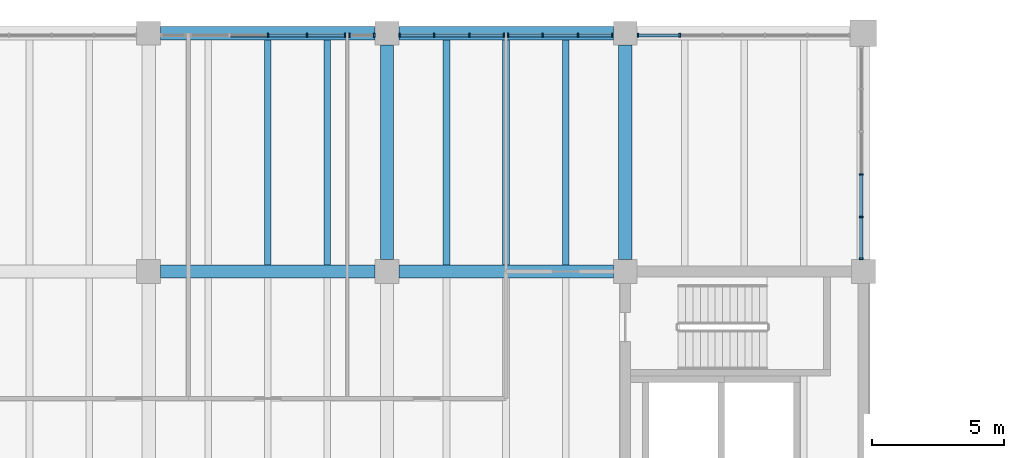
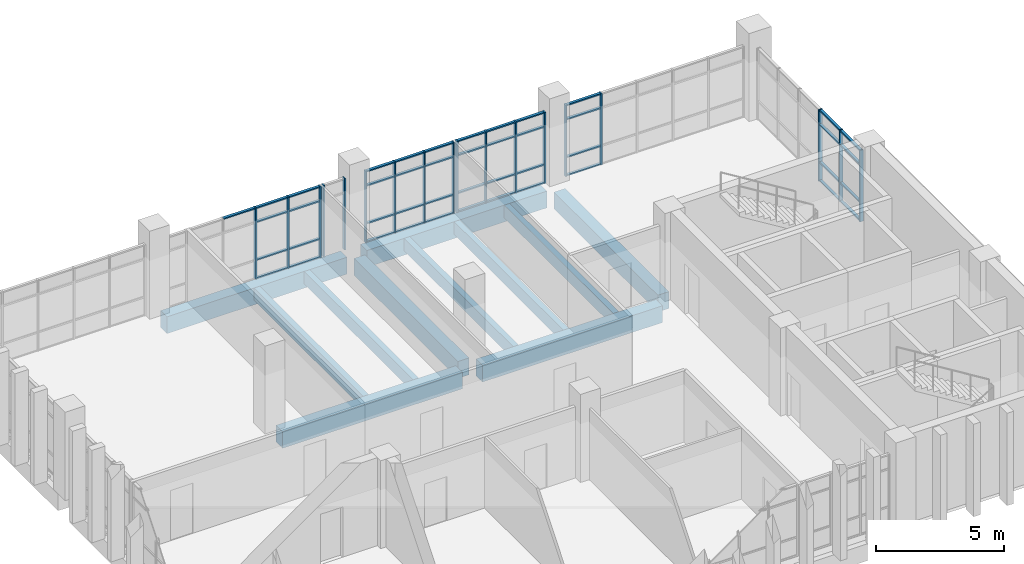
# One storey, part 27 of 74: 63 members, 11 beams, 6 elements without a shape of their own.
"""IFC4 building model written with IfcOpenShell, lengths in metres."""

from ifc_helpers import new_model, si_unit, direction, frame, origin, origin_2d, place, context, subcontext, project, spatial, rectangle, extrude, material, material_profile, profile_set, type_object, element, aggregate, save


model = new_model("IFC4")

# Units and contexts
model_context = context("Model", 3, precision=1e-05, world=origin(), true_north=direction((0.0, 1.0)))
body_context = subcontext(model_context, "Body", "Model", "MODEL_VIEW")
ifc_project = project(units=[si_unit("LENGTHUNIT", "METRE"), si_unit("AREAUNIT", "SQUARE_METRE"), si_unit("VOLUMEUNIT", "CUBIC_METRE"), si_unit("PLANEANGLEUNIT", "RADIAN"), si_unit("MASSUNIT", "GRAM", prefix="KILO")], contexts=[model_context])

# Site, building, storey
site_placement = place(None, origin())
site = spatial("IfcSite", under=ifc_project, at=site_placement, CompositionType="ELEMENT")
building_placement = place(site_placement, origin())
building = spatial("IfcBuilding", under=site, at=building_placement, Name="Merrow Basin Faculty of Sciences", CompositionType="ELEMENT")
storey_placement = place(building_placement, frame((0.0, 0.0, 13.5)))
storey = spatial("IfcBuildingStorey", under=building, at=storey_placement, Name="L03", CompositionType="ELEMENT", Elevation=13.5)

# Curtain wall, members
ifc_material_1 = material(Name="Aluminium alloy 6063", Category="aluminium")
curtain_wall_type = type_object("IfcCurtainWallType", Name="Unitised curtain wall 160", PredefinedType="NOTDEFINED", material=ifc_material_1)
curtain_wall_1_placement = place(storey_placement, origin())
curtain_wall_1 = element("IfcCurtainWall", 1, at=curtain_wall_1_placement, inside=storey, type_object=curtain_wall_type, Name="N curtain wall L03 3", PredefinedType="NOTDEFINED")
ifc_material_2 = material(Name="Aluminium alloy 6063", Category="aluminium")
ifc_material_profile_1 = material_profile(ifc_material_2, rectangle(XDim=0.159912109375, YDim=0.06005859375, at=origin_2d()))
ifc_profile_set_1 = profile_set([ifc_material_profile_1], Name="Aluminium alloy 6063")
member_type_1 = type_object("IfcMemberType", Name="Aluminium mullion 60x160", PredefinedType="MULLION", material=ifc_profile_set_1)
member_1_placement = place(storey_placement, frame((31.512451171875, 168.919921875, 0.0), z_axis=(0.0, 0.0, 1.0), x_axis=(0.0, 1.0, 0.0)))
member_1 = element("IfcMember", 2, at=member_1_placement, type_object=member_type_1, Name="CW3 mullion 3", PredefinedType="MULLION", context=body_context, shape_type="SweptSolid", body=[
    extrude(rectangle(XDim=0.159912109375, YDim=0.06005859375, at=origin_2d()), origin(), (0.0, 0.0, 1.0), 3.39990234375),
])
member_2_placement = place(storey_placement, frame((32.981201171875, 168.919921875, 0.0), z_axis=(0.0, 0.0, 1.0), x_axis=(0.0, 1.0, 0.0)))
member_2 = element("IfcMember", 3, at=member_2_placement, type_object=member_type_1, Name="CW3 mullion 4", PredefinedType="MULLION", context=body_context, shape_type="SweptSolid", body=[
    extrude(rectangle(XDim=0.159912109375, YDim=0.06005859375, at=origin_2d()), origin(), (0.0, 0.0, 1.0), 3.39990234375),
])
member_3_placement = place(storey_placement, frame((34.419921875, 168.919921875, 0.0), z_axis=(0.0, 0.0, 1.0), x_axis=(0.0, 1.0, 0.0)))
member_3 = element("IfcMember", 4, at=member_3_placement, type_object=member_type_1, Name="CW3 mullion 5", PredefinedType="MULLION", context=body_context, shape_type="SweptSolid", body=[
    extrude(rectangle(XDim=0.159912109375, YDim=0.06005859375, at=origin_2d()), origin(), (0.0, 0.0, 1.0), 3.39990234375),
])

curtain_wall_2_placement = place(storey_placement, origin())
curtain_wall_2 = element("IfcCurtainWall", 5, at=curtain_wall_2_placement, inside=storey, type_object=curtain_wall_type, Name="N curtain wall L03 4", PredefinedType="NOTDEFINED")
member_4_placement = place(storey_placement, frame((34.580078125, 168.919921875, 0.0), z_axis=(0.0, 0.0, 1.0), x_axis=(0.0, 1.0, 0.0)))
member_4 = element("IfcMember", 6, at=member_4_placement, type_object=member_type_1, Name="CW3 mullion 1", PredefinedType="MULLION", context=body_context, shape_type="SweptSolid", body=[
    extrude(rectangle(XDim=0.159912109375, YDim=0.06005859375, at=origin_2d()), origin(), (0.0, 0.0, 1.0), 3.39990234375),
])
member_5_placement = place(storey_placement, frame((35.52001953125, 168.919921875, 0.0), z_axis=(0.0, 0.0, 1.0), x_axis=(0.0, 1.0, 0.0)))
member_5 = element("IfcMember", 7, at=member_5_placement, type_object=member_type_1, Name="CW3 mullion 2", PredefinedType="MULLION", context=body_context, shape_type="SweptSolid", body=[
    extrude(rectangle(XDim=0.159912109375, YDim=0.06005859375, at=origin_2d()), origin(), (0.0, 0.0, 1.0), 3.39990234375),
])
aggregate(curtain_wall_2, [member_4, member_5])

curtain_wall_3_placement = place(storey_placement, origin())
curtain_wall_3 = element("IfcCurtainWall", 8, at=curtain_wall_3_placement, inside=storey, type_object=curtain_wall_type, Name="N curtain wall L03 5", PredefinedType="NOTDEFINED")
member_6_placement = place(storey_placement, frame((36.47998046875, 168.919921875, 0.0), z_axis=(0.0, 0.0, 1.0), x_axis=(0.0, 1.0, 0.0)))
member_6 = element("IfcMember", 9, at=member_6_placement, type_object=member_type_1, Name="CW3 mullion 1", PredefinedType="MULLION", context=body_context, shape_type="SweptSolid", body=[
    extrude(rectangle(XDim=0.159912109375, YDim=0.06005859375, at=origin_2d()), origin(), (0.0, 0.0, 1.0), 3.39990234375),
])
member_7_placement = place(storey_placement, frame((37.783447265625, 168.919921875, 0.0), z_axis=(0.0, 0.0, 1.0), x_axis=(0.0, 1.0, 0.0)))
member_7 = element("IfcMember", 10, at=member_7_placement, type_object=member_type_1, Name="CW3 mullion 2", PredefinedType="MULLION", context=body_context, shape_type="SweptSolid", body=[
    extrude(rectangle(XDim=0.159912109375, YDim=0.06005859375, at=origin_2d()), origin(), (0.0, 0.0, 1.0), 3.39990234375),
])
member_8_placement = place(storey_placement, frame((39.11669921875, 168.919921875, 0.0), z_axis=(0.0, 0.0, 1.0), x_axis=(0.0, 1.0, 0.0)))
member_8 = element("IfcMember", 11, at=member_8_placement, type_object=member_type_1, Name="CW3 mullion 3", PredefinedType="MULLION", context=body_context, shape_type="SweptSolid", body=[
    extrude(rectangle(XDim=0.159912109375, YDim=0.06005859375, at=origin_2d()), origin(), (0.0, 0.0, 1.0), 3.39990234375),
])
member_9_placement = place(storey_placement, frame((40.419921875, 168.919921875, 0.0), z_axis=(0.0, 0.0, 1.0), x_axis=(0.0, 1.0, 0.0)))
member_9 = element("IfcMember", 12, at=member_9_placement, type_object=member_type_1, Name="CW3 mullion 4", PredefinedType="MULLION", context=body_context, shape_type="SweptSolid", body=[
    extrude(rectangle(XDim=0.159912109375, YDim=0.06005859375, at=origin_2d()), origin(), (0.0, 0.0, 1.0), 3.39990234375),
])

curtain_wall_4_placement = place(storey_placement, origin())
curtain_wall_4 = element("IfcCurtainWall", 13, at=curtain_wall_4_placement, inside=storey, type_object=curtain_wall_type, Name="N curtain wall L03 6", PredefinedType="NOTDEFINED")
member_10_placement = place(storey_placement, frame((40.580078125, 168.919921875, 0.0), z_axis=(0.0, 0.0, 1.0), x_axis=(0.0, 1.0, 0.0)))
member_10 = element("IfcMember", 14, at=member_10_placement, type_object=member_type_1, Name="CW3 mullion 1", PredefinedType="MULLION", context=body_context, shape_type="SweptSolid", body=[
    extrude(rectangle(XDim=0.159912109375, YDim=0.06005859375, at=origin_2d()), origin(), (0.0, 0.0, 1.0), 3.39990234375),
])
member_11_placement = place(storey_placement, frame((41.88330078125, 168.919921875, 0.0), z_axis=(0.0, 0.0, 1.0), x_axis=(0.0, 1.0, 0.0)))
member_11 = element("IfcMember", 15, at=member_11_placement, type_object=member_type_1, Name="CW3 mullion 2", PredefinedType="MULLION", context=body_context, shape_type="SweptSolid", body=[
    extrude(rectangle(XDim=0.159912109375, YDim=0.06005859375, at=origin_2d()), origin(), (0.0, 0.0, 1.0), 3.39990234375),
])
member_12_placement = place(storey_placement, frame((43.216552734375, 168.919921875, 0.0), z_axis=(0.0, 0.0, 1.0), x_axis=(0.0, 1.0, 0.0)))
member_12 = element("IfcMember", 16, at=member_12_placement, type_object=member_type_1, Name="CW3 mullion 3", PredefinedType="MULLION", context=body_context, shape_type="SweptSolid", body=[
    extrude(rectangle(XDim=0.159912109375, YDim=0.06005859375, at=origin_2d()), origin(), (0.0, 0.0, 1.0), 3.39990234375),
])
member_13_placement = place(storey_placement, frame((44.52001953125, 168.919921875, 0.0), z_axis=(0.0, 0.0, 1.0), x_axis=(0.0, 1.0, 0.0)))
member_13 = element("IfcMember", 17, at=member_13_placement, type_object=member_type_1, Name="CW3 mullion 4", PredefinedType="MULLION", context=body_context, shape_type="SweptSolid", body=[
    extrude(rectangle(XDim=0.159912109375, YDim=0.06005859375, at=origin_2d()), origin(), (0.0, 0.0, 1.0), 3.39990234375),
])

curtain_wall_5_placement = place(storey_placement, origin())
curtain_wall_5 = element("IfcCurtainWall", 18, at=curtain_wall_5_placement, inside=storey, type_object=curtain_wall_type, Name="N curtain wall L03 7", PredefinedType="NOTDEFINED")
member_14_placement = place(storey_placement, frame((45.47998046875, 168.919921875, 0.0), z_axis=(0.0, 0.0, 1.0), x_axis=(0.0, 1.0, 0.0)))
member_14 = element("IfcMember", 19, at=member_14_placement, type_object=member_type_1, Name="CW3 mullion 1", PredefinedType="MULLION", context=body_context, shape_type="SweptSolid", body=[
    extrude(rectangle(XDim=0.159912109375, YDim=0.06005859375, at=origin_2d()), origin(), (0.0, 0.0, 1.0), 3.39990234375),
])
member_15_placement = place(storey_placement, frame((47.06005859375, 168.919921875, 0.0), z_axis=(0.0, 0.0, 1.0), x_axis=(0.0, 1.0, 0.0)))
member_15 = element("IfcMember", 20, at=member_15_placement, type_object=member_type_1, Name="CW3 mullion 2", PredefinedType="MULLION", context=body_context, shape_type="SweptSolid", body=[
    extrude(rectangle(XDim=0.159912109375, YDim=0.06005859375, at=origin_2d()), origin(), (0.0, 0.0, 1.0), 3.39990234375),
])

curtain_wall_6_placement = place(storey_placement, origin())
curtain_wall_6 = element("IfcCurtainWall", 21, at=curtain_wall_6_placement, inside=storey, type_object=curtain_wall_type, Name="E curtain wall L03 1", PredefinedType="NOTDEFINED")
member_16_placement = place(storey_placement, frame((53.919921875, 160.47998046875, 0.0), z_axis=(0.0, 0.0, 1.0), x_axis=(-1.0, 0.0, 0.0)))
member_16 = element("IfcMember", 22, at=member_16_placement, type_object=member_type_1, Name="CW3 mullion 1", PredefinedType="MULLION", context=body_context, shape_type="SweptSolid", body=[
    extrude(rectangle(XDim=0.159912109375, YDim=0.06005859375, at=origin_2d()), origin(), (0.0, 0.0, 1.0), 3.39990234375),
])
member_17_placement = place(storey_placement, frame((53.919921875, 162.06005859375, 0.0), z_axis=(0.0, 0.0, 1.0), x_axis=(-1.0, 0.0, 0.0)))
member_17 = element("IfcMember", 23, at=member_17_placement, type_object=member_type_1, Name="CW3 mullion 2", PredefinedType="MULLION", context=body_context, shape_type="SweptSolid", body=[
    extrude(rectangle(XDim=0.159912109375, YDim=0.06005859375, at=origin_2d()), origin(), (0.0, 0.0, 1.0), 3.39990234375),
])
member_18_placement = place(storey_placement, frame((53.919921875, 163.669921875, 0.0), z_axis=(0.0, 0.0, 1.0), x_axis=(-1.0, 0.0, 0.0)))
member_18 = element("IfcMember", 24, at=member_18_placement, type_object=member_type_1, Name="CW3 mullion 3", PredefinedType="MULLION", context=body_context, shape_type="SweptSolid", body=[
    extrude(rectangle(XDim=0.159912109375, YDim=0.06005859375, at=origin_2d()), origin(), (0.0, 0.0, 1.0), 3.39990234375),
])

# Member
ifc_material_3 = material(Name="Aluminium alloy 6063", Category="aluminium")
ifc_material_profile_2 = material_profile(ifc_material_3, rectangle(XDim=0.1201171875, YDim=0.06005859375, at=origin_2d()))
ifc_profile_set_2 = profile_set([ifc_material_profile_2], Name="Aluminium alloy 6063")
member_type_2 = type_object("IfcMemberType", Name="Aluminium transom 60x120", PredefinedType="USERDEFINED", material=ifc_profile_set_2)
member_19_placement = place(storey_placement, frame((30.07373046875, 168.919921875, 3.3701171875), z_axis=(1.0, 0.0, 0.0), x_axis=(0.0, 1.0, 0.0)))
member_19 = element("IfcMember", 25, at=member_19_placement, type_object=member_type_2, Name="CW3 transom 2.4", ObjectType="TRANSOM", PredefinedType="USERDEFINED", context=body_context, shape_type="SweptSolid", body=[
    extrude(rectangle(XDim=0.1201171875, YDim=0.06005859375, at=origin_2d()), origin(), (0.0, 0.0, 1.0), 1.40869140625),
])

member_20_placement = place(storey_placement, frame((31.54248046875, 168.919921875, 0.030029296875), z_axis=(1.0, 0.0, 0.0), x_axis=(0.0, 1.0, 0.0)))
member_20 = element("IfcMember", 26, at=member_20_placement, type_object=member_type_2, Name="CW3 transom 3.1", ObjectType="TRANSOM", PredefinedType="USERDEFINED", context=body_context, shape_type="SweptSolid", body=[
    extrude(rectangle(XDim=0.1201171875, YDim=0.06005859375, at=origin_2d()), origin(), (0.0, 0.0, 1.0), 1.40869140625),
])

member_21_placement = place(storey_placement, frame((31.54248046875, 168.919921875, 0.89990234375), z_axis=(1.0, 0.0, 0.0), x_axis=(0.0, 1.0, 0.0)))
member_21 = element("IfcMember", 27, at=member_21_placement, type_object=member_type_2, Name="CW3 transom 3.2", ObjectType="TRANSOM", PredefinedType="USERDEFINED", context=body_context, shape_type="SweptSolid", body=[
    extrude(rectangle(XDim=0.1201171875, YDim=0.06005859375, at=origin_2d()), origin(), (0.0, 0.0, 1.0), 1.40869140625),
])

member_22_placement = place(storey_placement, frame((31.54248046875, 168.919921875, 2.699951171875), z_axis=(1.0, 0.0, 0.0), x_axis=(0.0, 1.0, 0.0)))
member_22 = element("IfcMember", 28, at=member_22_placement, type_object=member_type_2, Name="CW3 transom 3.3", ObjectType="TRANSOM", PredefinedType="USERDEFINED", context=body_context, shape_type="SweptSolid", body=[
    extrude(rectangle(XDim=0.1201171875, YDim=0.06005859375, at=origin_2d()), origin(), (0.0, 0.0, 1.0), 1.40869140625),
])

member_23_placement = place(storey_placement, frame((31.54248046875, 168.919921875, 3.3701171875), z_axis=(1.0, 0.0, 0.0), x_axis=(0.0, 1.0, 0.0)))
member_23 = element("IfcMember", 29, at=member_23_placement, type_object=member_type_2, Name="CW3 transom 3.4", ObjectType="TRANSOM", PredefinedType="USERDEFINED", context=body_context, shape_type="SweptSolid", body=[
    extrude(rectangle(XDim=0.1201171875, YDim=0.06005859375, at=origin_2d()), origin(), (0.0, 0.0, 1.0), 1.40869140625),
])

member_24_placement = place(storey_placement, frame((33.01123046875, 168.919921875, 0.030029296875), z_axis=(1.0, 0.0, 0.0), x_axis=(0.0, 1.0, 0.0)))
member_24 = element("IfcMember", 30, at=member_24_placement, type_object=member_type_2, Name="CW3 transom 4.1", ObjectType="TRANSOM", PredefinedType="USERDEFINED", context=body_context, shape_type="SweptSolid", body=[
    extrude(rectangle(XDim=0.1201171875, YDim=0.06005859375, at=origin_2d()), origin(), (0.0, 0.0, 1.0), 1.378662109375),
])

member_25_placement = place(storey_placement, frame((33.01123046875, 168.919921875, 0.89990234375), z_axis=(1.0, 0.0, 0.0), x_axis=(0.0, 1.0, 0.0)))
member_25 = element("IfcMember", 31, at=member_25_placement, type_object=member_type_2, Name="CW3 transom 4.2", ObjectType="TRANSOM", PredefinedType="USERDEFINED", context=body_context, shape_type="SweptSolid", body=[
    extrude(rectangle(XDim=0.1201171875, YDim=0.06005859375, at=origin_2d()), origin(), (0.0, 0.0, 1.0), 1.378662109375),
])

member_26_placement = place(storey_placement, frame((33.01123046875, 168.919921875, 2.699951171875), z_axis=(1.0, 0.0, 0.0), x_axis=(0.0, 1.0, 0.0)))
member_26 = element("IfcMember", 32, at=member_26_placement, type_object=member_type_2, Name="CW3 transom 4.3", ObjectType="TRANSOM", PredefinedType="USERDEFINED", context=body_context, shape_type="SweptSolid", body=[
    extrude(rectangle(XDim=0.1201171875, YDim=0.06005859375, at=origin_2d()), origin(), (0.0, 0.0, 1.0), 1.378662109375),
])

member_27_placement = place(storey_placement, frame((33.01123046875, 168.919921875, 3.3701171875), z_axis=(1.0, 0.0, 0.0), x_axis=(0.0, 1.0, 0.0)))
member_27 = element("IfcMember", 33, at=member_27_placement, type_object=member_type_2, Name="CW3 transom 4.4", ObjectType="TRANSOM", PredefinedType="USERDEFINED", context=body_context, shape_type="SweptSolid", body=[
    extrude(rectangle(XDim=0.1201171875, YDim=0.06005859375, at=origin_2d()), origin(), (0.0, 0.0, 1.0), 1.378662109375),
])

aggregate(curtain_wall_1, [member_1, member_2, member_3, member_19, member_20, member_21, member_22, member_23, member_24, member_25, member_26, member_27])

member_28_placement = place(storey_placement, frame((36.510009765625, 168.919921875, 0.030029296875), z_axis=(1.0, 0.0, 0.0), x_axis=(0.0, 1.0, 0.0)))
member_28 = element("IfcMember", 34, at=member_28_placement, type_object=member_type_2, Name="CW3 transom 1.1", ObjectType="TRANSOM", PredefinedType="USERDEFINED", context=body_context, shape_type="SweptSolid", body=[
    extrude(rectangle(XDim=0.1201171875, YDim=0.06005859375, at=origin_2d()), origin(), (0.0, 0.0, 1.0), 1.243408203125),
])

member_29_placement = place(storey_placement, frame((36.510009765625, 168.919921875, 0.89990234375), z_axis=(1.0, 0.0, 0.0), x_axis=(0.0, 1.0, 0.0)))
member_29 = element("IfcMember", 35, at=member_29_placement, type_object=member_type_2, Name="CW3 transom 1.2", ObjectType="TRANSOM", PredefinedType="USERDEFINED", context=body_context, shape_type="SweptSolid", body=[
    extrude(rectangle(XDim=0.1201171875, YDim=0.06005859375, at=origin_2d()), origin(), (0.0, 0.0, 1.0), 1.243408203125),
])

member_30_placement = place(storey_placement, frame((36.510009765625, 168.919921875, 2.699951171875), z_axis=(1.0, 0.0, 0.0), x_axis=(0.0, 1.0, 0.0)))
member_30 = element("IfcMember", 36, at=member_30_placement, type_object=member_type_2, Name="CW3 transom 1.3", ObjectType="TRANSOM", PredefinedType="USERDEFINED", context=body_context, shape_type="SweptSolid", body=[
    extrude(rectangle(XDim=0.1201171875, YDim=0.06005859375, at=origin_2d()), origin(), (0.0, 0.0, 1.0), 1.243408203125),
])

member_31_placement = place(storey_placement, frame((36.510009765625, 168.919921875, 3.3701171875), z_axis=(1.0, 0.0, 0.0), x_axis=(0.0, 1.0, 0.0)))
member_31 = element("IfcMember", 37, at=member_31_placement, type_object=member_type_2, Name="CW3 transom 1.4", ObjectType="TRANSOM", PredefinedType="USERDEFINED", context=body_context, shape_type="SweptSolid", body=[
    extrude(rectangle(XDim=0.1201171875, YDim=0.06005859375, at=origin_2d()), origin(), (0.0, 0.0, 1.0), 1.243408203125),
])

member_32_placement = place(storey_placement, frame((37.813232421875, 168.919921875, 0.030029296875), z_axis=(1.0, 0.0, 0.0), x_axis=(0.0, 1.0, 0.0)))
member_32 = element("IfcMember", 38, at=member_32_placement, type_object=member_type_2, Name="CW3 transom 2.1", ObjectType="TRANSOM", PredefinedType="USERDEFINED", context=body_context, shape_type="SweptSolid", body=[
    extrude(rectangle(XDim=0.1201171875, YDim=0.06005859375, at=origin_2d()), origin(), (0.0, 0.0, 1.0), 1.2734375),
])

member_33_placement = place(storey_placement, frame((37.813232421875, 168.919921875, 0.89990234375), z_axis=(1.0, 0.0, 0.0), x_axis=(0.0, 1.0, 0.0)))
member_33 = element("IfcMember", 39, at=member_33_placement, type_object=member_type_2, Name="CW3 transom 2.2", ObjectType="TRANSOM", PredefinedType="USERDEFINED", context=body_context, shape_type="SweptSolid", body=[
    extrude(rectangle(XDim=0.1201171875, YDim=0.06005859375, at=origin_2d()), origin(), (0.0, 0.0, 1.0), 1.2734375),
])

member_34_placement = place(storey_placement, frame((37.813232421875, 168.919921875, 2.699951171875), z_axis=(1.0, 0.0, 0.0), x_axis=(0.0, 1.0, 0.0)))
member_34 = element("IfcMember", 40, at=member_34_placement, type_object=member_type_2, Name="CW3 transom 2.3", ObjectType="TRANSOM", PredefinedType="USERDEFINED", context=body_context, shape_type="SweptSolid", body=[
    extrude(rectangle(XDim=0.1201171875, YDim=0.06005859375, at=origin_2d()), origin(), (0.0, 0.0, 1.0), 1.2734375),
])

member_35_placement = place(storey_placement, frame((37.813232421875, 168.919921875, 3.3701171875), z_axis=(1.0, 0.0, 0.0), x_axis=(0.0, 1.0, 0.0)))
member_35 = element("IfcMember", 41, at=member_35_placement, type_object=member_type_2, Name="CW3 transom 2.4", ObjectType="TRANSOM", PredefinedType="USERDEFINED", context=body_context, shape_type="SweptSolid", body=[
    extrude(rectangle(XDim=0.1201171875, YDim=0.06005859375, at=origin_2d()), origin(), (0.0, 0.0, 1.0), 1.2734375),
])

member_36_placement = place(storey_placement, frame((39.146728515625, 168.919921875, 0.030029296875), z_axis=(1.0, 0.0, 0.0), x_axis=(0.0, 1.0, 0.0)))
member_36 = element("IfcMember", 42, at=member_36_placement, type_object=member_type_2, Name="CW3 transom 3.1", ObjectType="TRANSOM", PredefinedType="USERDEFINED", context=body_context, shape_type="SweptSolid", body=[
    extrude(rectangle(XDim=0.1201171875, YDim=0.06005859375, at=origin_2d()), origin(), (0.0, 0.0, 1.0), 1.2431640625),
])

member_37_placement = place(storey_placement, frame((39.146728515625, 168.919921875, 0.89990234375), z_axis=(1.0, 0.0, 0.0), x_axis=(0.0, 1.0, 0.0)))
member_37 = element("IfcMember", 43, at=member_37_placement, type_object=member_type_2, Name="CW3 transom 3.2", ObjectType="TRANSOM", PredefinedType="USERDEFINED", context=body_context, shape_type="SweptSolid", body=[
    extrude(rectangle(XDim=0.1201171875, YDim=0.06005859375, at=origin_2d()), origin(), (0.0, 0.0, 1.0), 1.2431640625),
])

member_38_placement = place(storey_placement, frame((39.146728515625, 168.919921875, 2.699951171875), z_axis=(1.0, 0.0, 0.0), x_axis=(0.0, 1.0, 0.0)))
member_38 = element("IfcMember", 44, at=member_38_placement, type_object=member_type_2, Name="CW3 transom 3.3", ObjectType="TRANSOM", PredefinedType="USERDEFINED", context=body_context, shape_type="SweptSolid", body=[
    extrude(rectangle(XDim=0.1201171875, YDim=0.06005859375, at=origin_2d()), origin(), (0.0, 0.0, 1.0), 1.2431640625),
])

member_39_placement = place(storey_placement, frame((39.146728515625, 168.919921875, 3.3701171875), z_axis=(1.0, 0.0, 0.0), x_axis=(0.0, 1.0, 0.0)))
member_39 = element("IfcMember", 45, at=member_39_placement, type_object=member_type_2, Name="CW3 transom 3.4", ObjectType="TRANSOM", PredefinedType="USERDEFINED", context=body_context, shape_type="SweptSolid", body=[
    extrude(rectangle(XDim=0.1201171875, YDim=0.06005859375, at=origin_2d()), origin(), (0.0, 0.0, 1.0), 1.2431640625),
])

aggregate(curtain_wall_3, [member_6, member_7, member_8, member_9, member_28, member_29, member_30, member_31, member_32, member_33, member_34, member_35, member_36, member_37, member_38, member_39])

member_40_placement = place(storey_placement, frame((40.610107421875, 168.919921875, 0.030029296875), z_axis=(1.0, 0.0, 0.0), x_axis=(0.0, 1.0, 0.0)))
member_40 = element("IfcMember", 46, at=member_40_placement, type_object=member_type_2, Name="CW3 transom 1.1", ObjectType="TRANSOM", PredefinedType="USERDEFINED", context=body_context, shape_type="SweptSolid", body=[
    extrude(rectangle(XDim=0.1201171875, YDim=0.06005859375, at=origin_2d()), origin(), (0.0, 0.0, 1.0), 1.2431640625),
])

member_41_placement = place(storey_placement, frame((40.610107421875, 168.919921875, 0.89990234375), z_axis=(1.0, 0.0, 0.0), x_axis=(0.0, 1.0, 0.0)))
member_41 = element("IfcMember", 47, at=member_41_placement, type_object=member_type_2, Name="CW3 transom 1.2", ObjectType="TRANSOM", PredefinedType="USERDEFINED", context=body_context, shape_type="SweptSolid", body=[
    extrude(rectangle(XDim=0.1201171875, YDim=0.06005859375, at=origin_2d()), origin(), (0.0, 0.0, 1.0), 1.2431640625),
])

member_42_placement = place(storey_placement, frame((40.610107421875, 168.919921875, 2.699951171875), z_axis=(1.0, 0.0, 0.0), x_axis=(0.0, 1.0, 0.0)))
member_42 = element("IfcMember", 48, at=member_42_placement, type_object=member_type_2, Name="CW3 transom 1.3", ObjectType="TRANSOM", PredefinedType="USERDEFINED", context=body_context, shape_type="SweptSolid", body=[
    extrude(rectangle(XDim=0.1201171875, YDim=0.06005859375, at=origin_2d()), origin(), (0.0, 0.0, 1.0), 1.2431640625),
])

member_43_placement = place(storey_placement, frame((40.610107421875, 168.919921875, 3.3701171875), z_axis=(1.0, 0.0, 0.0), x_axis=(0.0, 1.0, 0.0)))
member_43 = element("IfcMember", 49, at=member_43_placement, type_object=member_type_2, Name="CW3 transom 1.4", ObjectType="TRANSOM", PredefinedType="USERDEFINED", context=body_context, shape_type="SweptSolid", body=[
    extrude(rectangle(XDim=0.1201171875, YDim=0.06005859375, at=origin_2d()), origin(), (0.0, 0.0, 1.0), 1.2431640625),
])

member_44_placement = place(storey_placement, frame((41.913330078125, 168.919921875, 0.030029296875), z_axis=(1.0, 0.0, 0.0), x_axis=(0.0, 1.0, 0.0)))
member_44 = element("IfcMember", 50, at=member_44_placement, type_object=member_type_2, Name="CW3 transom 2.1", ObjectType="TRANSOM", PredefinedType="USERDEFINED", context=body_context, shape_type="SweptSolid", body=[
    extrude(rectangle(XDim=0.1201171875, YDim=0.06005859375, at=origin_2d()), origin(), (0.0, 0.0, 1.0), 1.2734375),
])

member_45_placement = place(storey_placement, frame((41.913330078125, 168.919921875, 0.89990234375), z_axis=(1.0, 0.0, 0.0), x_axis=(0.0, 1.0, 0.0)))
member_45 = element("IfcMember", 51, at=member_45_placement, type_object=member_type_2, Name="CW3 transom 2.2", ObjectType="TRANSOM", PredefinedType="USERDEFINED", context=body_context, shape_type="SweptSolid", body=[
    extrude(rectangle(XDim=0.1201171875, YDim=0.06005859375, at=origin_2d()), origin(), (0.0, 0.0, 1.0), 1.2734375),
])

member_46_placement = place(storey_placement, frame((41.913330078125, 168.919921875, 2.699951171875), z_axis=(1.0, 0.0, 0.0), x_axis=(0.0, 1.0, 0.0)))
member_46 = element("IfcMember", 52, at=member_46_placement, type_object=member_type_2, Name="CW3 transom 2.3", ObjectType="TRANSOM", PredefinedType="USERDEFINED", context=body_context, shape_type="SweptSolid", body=[
    extrude(rectangle(XDim=0.1201171875, YDim=0.06005859375, at=origin_2d()), origin(), (0.0, 0.0, 1.0), 1.2734375),
])

member_47_placement = place(storey_placement, frame((41.913330078125, 168.919921875, 3.3701171875), z_axis=(1.0, 0.0, 0.0), x_axis=(0.0, 1.0, 0.0)))
member_47 = element("IfcMember", 53, at=member_47_placement, type_object=member_type_2, Name="CW3 transom 2.4", ObjectType="TRANSOM", PredefinedType="USERDEFINED", context=body_context, shape_type="SweptSolid", body=[
    extrude(rectangle(XDim=0.1201171875, YDim=0.06005859375, at=origin_2d()), origin(), (0.0, 0.0, 1.0), 1.2734375),
])

member_48_placement = place(storey_placement, frame((43.24658203125, 168.919921875, 0.030029296875), z_axis=(1.0, 0.0, 0.0), x_axis=(0.0, 1.0, 0.0)))
member_48 = element("IfcMember", 54, at=member_48_placement, type_object=member_type_2, Name="CW3 transom 3.1", ObjectType="TRANSOM", PredefinedType="USERDEFINED", context=body_context, shape_type="SweptSolid", body=[
    extrude(rectangle(XDim=0.1201171875, YDim=0.06005859375, at=origin_2d()), origin(), (0.0, 0.0, 1.0), 1.243408203125),
])

member_49_placement = place(storey_placement, frame((43.24658203125, 168.919921875, 0.89990234375), z_axis=(1.0, 0.0, 0.0), x_axis=(0.0, 1.0, 0.0)))
member_49 = element("IfcMember", 55, at=member_49_placement, type_object=member_type_2, Name="CW3 transom 3.2", ObjectType="TRANSOM", PredefinedType="USERDEFINED", context=body_context, shape_type="SweptSolid", body=[
    extrude(rectangle(XDim=0.1201171875, YDim=0.06005859375, at=origin_2d()), origin(), (0.0, 0.0, 1.0), 1.243408203125),
])

member_50_placement = place(storey_placement, frame((43.24658203125, 168.919921875, 2.699951171875), z_axis=(1.0, 0.0, 0.0), x_axis=(0.0, 1.0, 0.0)))
member_50 = element("IfcMember", 56, at=member_50_placement, type_object=member_type_2, Name="CW3 transom 3.3", ObjectType="TRANSOM", PredefinedType="USERDEFINED", context=body_context, shape_type="SweptSolid", body=[
    extrude(rectangle(XDim=0.1201171875, YDim=0.06005859375, at=origin_2d()), origin(), (0.0, 0.0, 1.0), 1.243408203125),
])

member_51_placement = place(storey_placement, frame((43.24658203125, 168.919921875, 3.3701171875), z_axis=(1.0, 0.0, 0.0), x_axis=(0.0, 1.0, 0.0)))
member_51 = element("IfcMember", 57, at=member_51_placement, type_object=member_type_2, Name="CW3 transom 3.4", ObjectType="TRANSOM", PredefinedType="USERDEFINED", context=body_context, shape_type="SweptSolid", body=[
    extrude(rectangle(XDim=0.1201171875, YDim=0.06005859375, at=origin_2d()), origin(), (0.0, 0.0, 1.0), 1.243408203125),
])

aggregate(curtain_wall_4, [member_10, member_11, member_12, member_13, member_40, member_41, member_42, member_43, member_44, member_45, member_46, member_47, member_48, member_49, member_50, member_51])

member_52_placement = place(storey_placement, frame((45.510009765625, 168.919921875, 0.030029296875), z_axis=(1.0, 0.0, 0.0), x_axis=(0.0, 1.0, 0.0)))
member_52 = element("IfcMember", 58, at=member_52_placement, type_object=member_type_2, Name="CW3 transom 1.1", ObjectType="TRANSOM", PredefinedType="USERDEFINED", context=body_context, shape_type="SweptSolid", body=[
    extrude(rectangle(XDim=0.1201171875, YDim=0.06005859375, at=origin_2d()), origin(), (0.0, 0.0, 1.0), 1.52001953125),
])

member_53_placement = place(storey_placement, frame((45.510009765625, 168.919921875, 0.89990234375), z_axis=(1.0, 0.0, 0.0), x_axis=(0.0, 1.0, 0.0)))
member_53 = element("IfcMember", 59, at=member_53_placement, type_object=member_type_2, Name="CW3 transom 1.2", ObjectType="TRANSOM", PredefinedType="USERDEFINED", context=body_context, shape_type="SweptSolid", body=[
    extrude(rectangle(XDim=0.1201171875, YDim=0.06005859375, at=origin_2d()), origin(), (0.0, 0.0, 1.0), 1.52001953125),
])

member_54_placement = place(storey_placement, frame((45.510009765625, 168.919921875, 2.699951171875), z_axis=(1.0, 0.0, 0.0), x_axis=(0.0, 1.0, 0.0)))
member_54 = element("IfcMember", 60, at=member_54_placement, type_object=member_type_2, Name="CW3 transom 1.3", ObjectType="TRANSOM", PredefinedType="USERDEFINED", context=body_context, shape_type="SweptSolid", body=[
    extrude(rectangle(XDim=0.1201171875, YDim=0.06005859375, at=origin_2d()), origin(), (0.0, 0.0, 1.0), 1.52001953125),
])

member_55_placement = place(storey_placement, frame((45.510009765625, 168.919921875, 3.3701171875), z_axis=(1.0, 0.0, 0.0), x_axis=(0.0, 1.0, 0.0)))
member_55 = element("IfcMember", 61, at=member_55_placement, type_object=member_type_2, Name="CW3 transom 1.4", ObjectType="TRANSOM", PredefinedType="USERDEFINED", context=body_context, shape_type="SweptSolid", body=[
    extrude(rectangle(XDim=0.1201171875, YDim=0.06005859375, at=origin_2d()), origin(), (0.0, 0.0, 1.0), 1.52001953125),
])

aggregate(curtain_wall_5, [member_14, member_15, member_52, member_53, member_54, member_55])

member_56_placement = place(storey_placement, frame((53.919921875, 160.510009765625, 0.030029296875), z_axis=(0.0, 1.0, 0.0), x_axis=(-1.0, 0.0, 0.0)))
member_56 = element("IfcMember", 62, at=member_56_placement, type_object=member_type_2, Name="CW3 transom 1.1", ObjectType="TRANSOM", PredefinedType="USERDEFINED", context=body_context, shape_type="SweptSolid", body=[
    extrude(rectangle(XDim=0.1201171875, YDim=0.06005859375, at=origin_2d()), origin(), (0.0, 0.0, 1.0), 1.52001953125),
])

member_57_placement = place(storey_placement, frame((53.919921875, 160.510009765625, 0.89990234375), z_axis=(0.0, 1.0, 0.0), x_axis=(-1.0, 0.0, 0.0)))
member_57 = element("IfcMember", 63, at=member_57_placement, type_object=member_type_2, Name="CW3 transom 1.2", ObjectType="TRANSOM", PredefinedType="USERDEFINED", context=body_context, shape_type="SweptSolid", body=[
    extrude(rectangle(XDim=0.1201171875, YDim=0.06005859375, at=origin_2d()), origin(), (0.0, 0.0, 1.0), 1.52001953125),
])

member_58_placement = place(storey_placement, frame((53.919921875, 160.510009765625, 2.699951171875), z_axis=(0.0, 1.0, 0.0), x_axis=(-1.0, 0.0, 0.0)))
member_58 = element("IfcMember", 64, at=member_58_placement, type_object=member_type_2, Name="CW3 transom 1.3", ObjectType="TRANSOM", PredefinedType="USERDEFINED", context=body_context, shape_type="SweptSolid", body=[
    extrude(rectangle(XDim=0.1201171875, YDim=0.06005859375, at=origin_2d()), origin(), (0.0, 0.0, 1.0), 1.52001953125),
])

member_59_placement = place(storey_placement, frame((53.919921875, 160.510009765625, 3.3701171875), z_axis=(0.0, 1.0, 0.0), x_axis=(-1.0, 0.0, 0.0)))
member_59 = element("IfcMember", 65, at=member_59_placement, type_object=member_type_2, Name="CW3 transom 1.4", ObjectType="TRANSOM", PredefinedType="USERDEFINED", context=body_context, shape_type="SweptSolid", body=[
    extrude(rectangle(XDim=0.1201171875, YDim=0.06005859375, at=origin_2d()), origin(), (0.0, 0.0, 1.0), 1.52001953125),
])

member_60_placement = place(storey_placement, frame((53.919921875, 162.090087890625, 0.030029296875), z_axis=(0.0, 1.0, 0.0), x_axis=(-1.0, 0.0, 0.0)))
member_60 = element("IfcMember", 66, at=member_60_placement, type_object=member_type_2, Name="CW3 transom 2.1", ObjectType="TRANSOM", PredefinedType="USERDEFINED", context=body_context, shape_type="SweptSolid", body=[
    extrude(rectangle(XDim=0.1201171875, YDim=0.06005859375, at=origin_2d()), origin(), (0.0, 0.0, 1.0), 1.5498046875),
])

member_61_placement = place(storey_placement, frame((53.919921875, 162.090087890625, 0.89990234375), z_axis=(0.0, 1.0, 0.0), x_axis=(-1.0, 0.0, 0.0)))
member_61 = element("IfcMember", 67, at=member_61_placement, type_object=member_type_2, Name="CW3 transom 2.2", ObjectType="TRANSOM", PredefinedType="USERDEFINED", context=body_context, shape_type="SweptSolid", body=[
    extrude(rectangle(XDim=0.1201171875, YDim=0.06005859375, at=origin_2d()), origin(), (0.0, 0.0, 1.0), 1.5498046875),
])

member_62_placement = place(storey_placement, frame((53.919921875, 162.090087890625, 2.699951171875), z_axis=(0.0, 1.0, 0.0), x_axis=(-1.0, 0.0, 0.0)))
member_62 = element("IfcMember", 68, at=member_62_placement, type_object=member_type_2, Name="CW3 transom 2.3", ObjectType="TRANSOM", PredefinedType="USERDEFINED", context=body_context, shape_type="SweptSolid", body=[
    extrude(rectangle(XDim=0.1201171875, YDim=0.06005859375, at=origin_2d()), origin(), (0.0, 0.0, 1.0), 1.5498046875),
])

member_63_placement = place(storey_placement, frame((53.919921875, 162.090087890625, 3.3701171875), z_axis=(0.0, 1.0, 0.0), x_axis=(-1.0, 0.0, 0.0)))
member_63 = element("IfcMember", 69, at=member_63_placement, type_object=member_type_2, Name="CW3 transom 2.4", ObjectType="TRANSOM", PredefinedType="USERDEFINED", context=body_context, shape_type="SweptSolid", body=[
    extrude(rectangle(XDim=0.1201171875, YDim=0.06005859375, at=origin_2d()), origin(), (0.0, 0.0, 1.0), 1.5498046875),
])

aggregate(curtain_wall_6, [member_16, member_17, member_18, member_56, member_57, member_58, member_59, member_60, member_61, member_62, member_63])

# Beams
ifc_material_4 = material(Name="Concrete C40/50", Category="concrete")
ifc_material_profile_3 = material_profile(ifc_material_4, rectangle(XDim=0.5, YDim=0.800048828125, at=origin_2d()))
ifc_profile_set_3 = profile_set([ifc_material_profile_3], Name="Concrete C40/50")
beam_type_1 = type_object("IfcBeamType", Name="Beam RC500x800 C40/50", PredefinedType="BEAM", material=ifc_profile_set_3)
for number, where, z_axis, x_axis, name in (
    (70, (27.449951171875, 160.0, -0.699951171875), (1.0, 0.0, 0.0), (0.0, 1.0, 0.0), "B4 L03 007"),
    (71, (36.449951171875, 160.0, -0.699951171875), (1.0, 0.0, 0.0), (0.0, 1.0, 0.0), "B4 L03 008"),
    (72, (27.449951171875, 169.0, -0.699951171875), (1.0, 0.0, 0.0), (0.0, 1.0, 0.0), "B4 L03 010"),
    (73, (36.449951171875, 169.0, -0.699951171875), (1.0, 0.0, 0.0), (0.0, 1.0, 0.0), "B4 L03 011"),
    (74, (36.0, 160.449951171875, -0.699951171875), (0.0, 1.0, 0.0), (-1.0, 0.0, 0.0), "B4 L03 019"),
    (75, (45.0, 160.449951171875, -0.699951171875), (0.0, 1.0, 0.0), (-1.0, 0.0, 0.0), "B4 L03 020"),
):
    element("IfcBeam", number, at=place(storey_placement, frame(where, z_axis=z_axis, x_axis=x_axis)), inside=storey, type_object=beam_type_1, Name=name, PredefinedType="BEAM", context=body_context, shape_type="SweptSolid", body=[
        extrude(rectangle(XDim=0.5, YDim=0.800048828125, at=origin_2d()), origin(), (0.0, 0.0, 1.0), 8.10009765625),
    ])
ifc_material_5 = material(Name="Concrete C40/50", Category="concrete")
ifc_material_profile_4 = material_profile(ifc_material_5, rectangle(XDim=0.25, YDim=0.60009765625, at=origin_2d()))
ifc_profile_set_4 = profile_set([ifc_material_profile_4], Name="Concrete C40/50")
beam_type_2 = type_object("IfcBeamType", Name="Tower floor joist RC250x600 C40/50", PredefinedType="BEAM", material=ifc_profile_set_4)
for number, where, z_axis, x_axis, name in (
    (76, (31.5, 160.25, -0.60009765625), (0.0, 1.0, 0.0), (-1.0, 0.0, 0.0), "JT1 L03 039"),
    (77, (33.75, 160.25, -0.60009765625), (0.0, 1.0, 0.0), (-1.0, 0.0, 0.0), "JT1 L03 040"),
    (78, (38.25, 160.25, -0.60009765625), (0.0, 1.0, 0.0), (-1.0, 0.0, 0.0), "JT1 L03 047"),
    (79, (40.5, 160.25, -0.60009765625), (0.0, 1.0, 0.0), (-1.0, 0.0, 0.0), "JT1 L03 048"),
    (80, (42.75, 160.25, -0.60009765625), (0.0, 1.0, 0.0), (-1.0, 0.0, 0.0), "JT1 L03 049"),
):
    element("IfcBeam", number, at=place(storey_placement, frame(where, z_axis=z_axis, x_axis=x_axis)), inside=storey, type_object=beam_type_2, Name=name, PredefinedType="BEAM", context=body_context, shape_type="SweptSolid", body=[
        extrude(rectangle(XDim=0.25, YDim=0.60009765625, at=origin_2d()), origin(), (0.0, 0.0, 1.0), 8.5),
    ])

save(model, "model.ifc")
